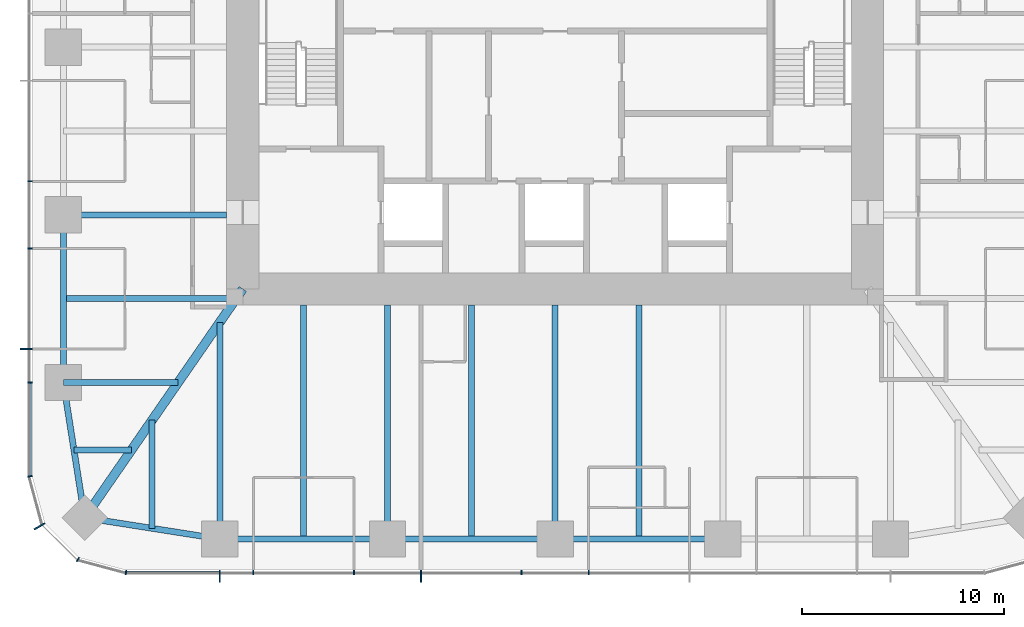
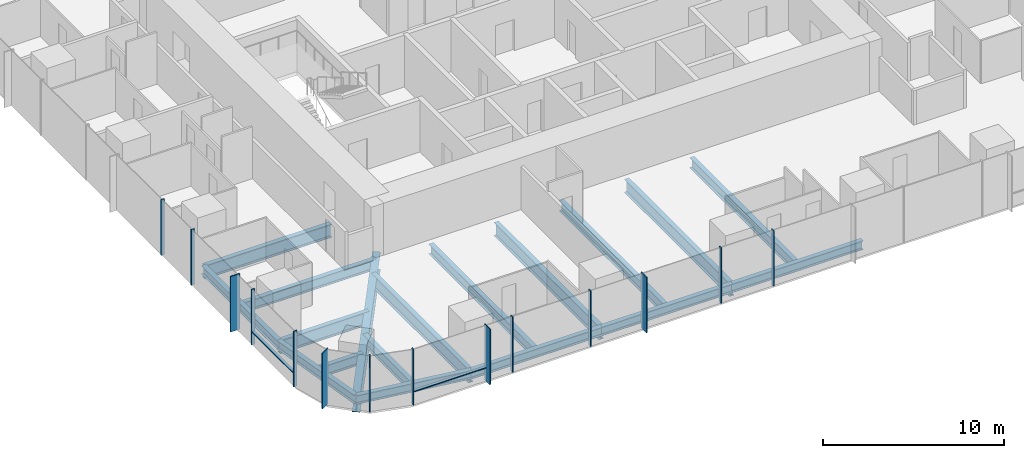
# One storey, part 2 of 12: 18 beams, 16 members, 3 elements without a shape of their own.
"""IFC4 building model written with IfcOpenShell, lengths in metres."""

import ifcopenshell
import ifcopenshell.guid

model = None  # the IFC model being written
_history = None  # IfcOwnerHistory: only IFC2X3 demands one
_inside = {}  # id of a spatial element -> (the spatial element, [elements in it])
_under = {}  # id of a project, library or spatial element -> (it, [spatial elements below it])
_declared = {}  # id of a project -> (the project, [libraries it declares])
_typed = {}  # id of a type object -> (the type object, [elements of that type])
_made_of = {}  # id of a material, layer set ... -> (it, [elements and type objects made of it])


def new_model(schema):
    """Start an empty IFC model of exactly this schema.

    Asked for "IFC4X3", IfcOpenShell would pick the latest addendum, in which some entities
    have other attributes; the version numbers below select the first issue.
    IFC2X3 requires an IfcOwnerHistory on every rooted entity: one is made here for all.
    """
    global model, _history
    if schema == "IFC4X3":
        model = ifcopenshell.file(schema_version=(4, 3, 0, 0))
    else:
        model = ifcopenshell.file(schema=schema)
    _inside.clear()
    _under.clear()
    _declared.clear()
    _typed.clear()
    _made_of.clear()
    _history = None
    if model.schema == "IFC2X3":
        org = make("IfcOrganization", Name="unknown")
        user = make(
            "IfcPersonAndOrganization",
            ThePerson=make("IfcPerson", FamilyName="unknown"),
            TheOrganization=org,
        )
        app = make(
            "IfcApplication",
            ApplicationDeveloper=org,
            Version="unknown",
            ApplicationFullName="unknown",
            ApplicationIdentifier="unknown",
        )
        _history = make(
            "IfcOwnerHistory",
            OwningUser=user,
            OwningApplication=app,
            ChangeAction="ADDED",
            CreationDate=0,
        )
    return model


def make(cls, **values):
    """One entity of the class cls with the attributes given. An attribute that is None is left unset."""
    return model.create_entity(
        cls, **{name: value for name, value in values.items() if value is not None}
    )


def rooted(cls, **values):
    """An entity with a GlobalId (a new one), such as an element, a storey or a relation."""
    return make(cls, GlobalId=ifcopenshell.guid.new(), OwnerHistory=_history, **values)


def si_unit(unit_type, name, prefix=None):
    """IfcSIUnit, for example si_unit("LENGTHUNIT", "METRE", prefix="MILLI")."""
    return make("IfcSIUnit", UnitType=unit_type, Prefix=prefix, Name=name)


def assignment(units):
    """IfcUnitAssignment: the units of a project."""
    return None if units is None else make("IfcUnitAssignment", Units=units)


def point(xyz):
    """IfcCartesianPoint."""
    return None if xyz is None else make("IfcCartesianPoint", Coordinates=xyz)


def direction(xyz):
    """IfcDirection."""
    return None if xyz is None else make("IfcDirection", DirectionRatios=xyz)


def frame(location, z_axis=None, x_axis=None):
    """IfcAxis2Placement3D, a coordinate frame: its origin and axes. An axis left out is left unset."""
    return make(
        "IfcAxis2Placement3D",
        Location=point(location),
        Axis=direction(z_axis),
        RefDirection=direction(x_axis),
    )


def frame_2d(location, x_axis=None):
    """IfcAxis2Placement2D, a coordinate frame in the plane: its origin and x axis."""
    return make(
        "IfcAxis2Placement2D", Location=point(location), RefDirection=direction(x_axis)
    )


def origin():
    """The frame at (0, 0, 0) with its axes left unset."""
    return frame((0.0, 0.0, 0.0))


def origin_2d():
    """The frame at (0, 0) in the plane with its x axis left unset."""
    return frame_2d((0.0, 0.0))


def place(relative_to, where):
    """IfcLocalPlacement: puts the frame where relative to a parent placement (None: the world)."""
    return make(
        "IfcLocalPlacement", PlacementRelTo=relative_to, RelativePlacement=where
    )


def context(
    kind, dimensions, precision=None, world=None, true_north=None, identifier=None
):
    """IfcGeometricRepresentationContext, for example the 3D "Model" context."""
    return make(
        "IfcGeometricRepresentationContext",
        ContextIdentifier=identifier,
        ContextType=kind,
        CoordinateSpaceDimension=dimensions,
        Precision=precision,
        WorldCoordinateSystem=world,
        TrueNorth=true_north,
    )


def subcontext(parent, identifier, kind, view, scale=None):
    """IfcGeometricRepresentationSubContext, for example "Body" below "Model"."""
    return make(
        "IfcGeometricRepresentationSubContext",
        ContextIdentifier=identifier,
        ContextType=kind,
        ParentContext=parent,
        TargetScale=scale,
        TargetView=view,
    )


def project(units=None, contexts=None):
    """IfcProject with its units and contexts."""
    return rooted(
        "IfcProject",
        Name="project",
        RepresentationContexts=contexts,
        UnitsInContext=assignment(units),
    )


def spatial(cls, under=None, at=None, **own):
    """A site, building, storey or space (cls), placed at a placement, below another one or the project."""
    s = rooted(cls, ObjectPlacement=at, **own)
    if under is not None:
        _under.setdefault(under.id(), (under, []))[1].append(s)
    return s


def profile(cls, at=None, kind="AREA", **sizes):
    """A parametric profile (cls). Its sizes go by their IFC names, for example OverallWidth=200.0."""
    return make(cls, ProfileType=kind, Position=at, **sizes)


def rectangle(**sizes):
    """IfcRectangleProfileDef."""
    return profile("IfcRectangleProfileDef", **sizes)


def i_section(**sizes):
    """IfcIShapeProfileDef."""
    return profile("IfcIShapeProfileDef", **sizes)


def extrude(swept, where, along, depth):
    """IfcExtrudedAreaSolid: the profile swept, set in the frame where, extruded along a direction by depth."""
    return make(
        "IfcExtrudedAreaSolid",
        SweptArea=swept,
        Position=where,
        ExtrudedDirection=direction(along),
        Depth=depth,
    )


def shape(context_of_items, identifier, shape_type, items):
    """IfcShapeRepresentation: the items that make up one representation, for example the "Body"."""
    return make(
        "IfcShapeRepresentation",
        ContextOfItems=context_of_items,
        RepresentationIdentifier=identifier,
        RepresentationType=shape_type,
        Items=items,
    )


def material(Name=None, Category=None):
    """IfcMaterial."""
    return make("IfcMaterial", Name=Name, Category=Category)


def material_profile(
    of_material, cross_section, Name=None, Category=None, Priority=None
):
    """IfcMaterialProfile: a cross section and its material."""
    return make(
        "IfcMaterialProfile",
        Name=Name,
        Material=of_material,
        Profile=cross_section,
        Priority=Priority,
        Category=Category,
    )


def profile_set(profiles, Name=None, composite=None):
    """IfcMaterialProfileSet."""
    return make(
        "IfcMaterialProfileSet",
        Name=Name,
        MaterialProfiles=profiles,
        CompositeProfile=composite,
    )


def made_of(thing, what):
    """Note that an element or type object is made of a material, layer set ...; save() writes the relation."""
    if what is not None:
        _made_of.setdefault(what.id(), (what, []))[1].append(thing)
    return thing


def type_object(cls, material=None, **own):
    """A type object (cls), such as IfcWallType, which elements share."""
    return made_of(rooted(cls, **own), material)


def element(
    cls,
    number,
    at=None,
    inside=None,
    cuts=None,
    type_object=None,
    material=None,
    context=None,
    identifier="Body",
    shape_type=None,
    held_by="IfcProductDefinitionShape",
    body=None,
    shapes=None,
    **own,
):
    """One element of the class cls, such as IfcWall. Its Tag is "e" and its number.

    at: its placement. inside: the storey or other place that contains it. cuts: it is an
    opening in that element (IfcRelVoidsElement). A single representation is given by context,
    identifier, shape_type and body (its items); several are given by shapes. held_by: the class
    of the entity that holds the representations. save() writes the other relations.
    """
    e = rooted(cls, Tag="e%d" % number, ObjectPlacement=at, **own)
    if body is not None:
        shapes = [shape(context, identifier, shape_type, body)]
    if shapes is not None:
        e.Representation = make(held_by, Representations=shapes)
    if inside is not None:
        _inside.setdefault(inside.id(), (inside, []))[1].append(e)
    if cuts is not None:
        rooted(
            "IfcRelVoidsElement", RelatingBuildingElement=cuts, RelatedOpeningElement=e
        )
    if type_object is not None:
        _typed.setdefault(type_object.id(), (type_object, []))[1].append(e)
    return made_of(e, material)


def aggregate(whole, parts):
    """IfcRelAggregates: a whole, such as a stair, and the parts it consists of."""
    return rooted("IfcRelAggregates", RelatingObject=whole, RelatedObjects=parts)


def save(model, path):
    """Write the relations noted so far, then the file.

    IfcRelAggregates (storeys below a building ...), IfcRelContainedInSpatialStructure (elements
    in a storey), IfcRelDefinesByType, IfcRelAssociatesMaterial and IfcRelDeclares: one each for
    every whole, place, type object, material and project.
    """
    for whole, parts in _under.values():
        aggregate(whole, parts)
    for where, things in _inside.values():
        rooted(
            "IfcRelContainedInSpatialStructure",
            RelatedElements=things,
            RelatingStructure=where,
        )
    for kind, things in _typed.values():
        rooted("IfcRelDefinesByType", RelatedObjects=things, RelatingType=kind)
    for what, things in _made_of.values():
        rooted("IfcRelAssociatesMaterial", RelatedObjects=things, RelatingMaterial=what)
    for by, libraries in _declared.values():
        rooted("IfcRelDeclares", RelatingContext=by, RelatedDefinitions=libraries)
    model.write(path)


model = new_model("IFC4")

# Units and contexts
model_context = context("Model", 3, precision=1e-05, world=origin(), true_north=direction((0.0, 1.0)))
body_context = subcontext(model_context, "Body", "Model", "MODEL_VIEW")
ifc_project = project(units=[si_unit("LENGTHUNIT", "METRE"), si_unit("AREAUNIT", "SQUARE_METRE"), si_unit("VOLUMEUNIT", "CUBIC_METRE"), si_unit("PLANEANGLEUNIT", "RADIAN"), si_unit("MASSUNIT", "GRAM", prefix="KILO")], contexts=[model_context])

# Site, building, storey
site_placement = place(None, origin())
site = spatial("IfcSite", under=ifc_project, at=site_placement, CompositionType="ELEMENT")
building_placement = place(site_placement, origin())
building = spatial("IfcBuilding", under=site, at=building_placement, Name="Khuree Lantern Residences", CompositionType="ELEMENT")
storey_placement = place(building_placement, frame((0.0, 0.0, 237.0)))
storey = spatial("IfcBuildingStorey", under=building, at=storey_placement, Name="L59", CompositionType="ELEMENT", Elevation=237.0)

# Beams
ifc_material_1 = material(Name="Steel S355", Category="steel")
ifc_material_profile_1 = material_profile(ifc_material_1, i_section(OverallWidth=0.300048828125, OverallDepth=0.68994140625, WebThickness=0.014404296875, FlangeThickness=0.027099609375, FilletRadius=0.027099609375, at=origin_2d()), Name="HE 700 A")
ifc_profile_set_1 = profile_set([ifc_material_profile_1], Name="Steel S355")
beam_type_1 = type_object("IfcBeamType", Name="B-33 SECONDARY BEAM HE 700 A", PredefinedType="BEAM", material=ifc_profile_set_1)
for number, where, z_axis, x_axis, name in (
    (1, (4.159912109375, -24.39990234375, -0.594970703125), (0.0, 1.0, 0.0), (-1.0, 0.0, 0.0), "Secondary beam S3"),
    (2, (-4.159912109375, -24.39990234375, -0.594970703125), (0.0, 1.0, 0.0), (-1.0, 0.0, 0.0), "Secondary beam S4"),
    (3, (-12.47998046875, -24.39990234375, -0.594970703125), (0.0, 1.0, 0.0), (-1.0, 0.0, 0.0), "Secondary beam S5"),
):
    element("IfcBeam", number, at=place(storey_placement, frame(where, z_axis=z_axis, x_axis=x_axis)), inside=storey, type_object=beam_type_1, Name=name, PredefinedType="BEAM", context=body_context, shape_type="SweptSolid", body=[
        extrude(i_section(OverallWidth=0.300048828125, OverallDepth=0.68994140625, WebThickness=0.014404296875, FlangeThickness=0.027099609375, FilletRadius=0.027099609375, at=origin_2d()), origin(), (0.0, 0.0, 1.0), 11.599853515625),
    ])
beam_1_placement = place(storey_placement, frame((-19.992919921875, -23.872802734375, -0.594970703125), z_axis=(0.0, 1.0, 0.0), x_axis=(-1.0, 0.0, 0.0)))
element("IfcBeam", 4, at=beam_1_placement, inside=storey, type_object=beam_type_1, Name="Secondary beam S6", PredefinedType="BEAM", context=body_context, shape_type="SweptSolid", body=[
    extrude(i_section(OverallWidth=0.300048828125, OverallDepth=0.68994140625, WebThickness=0.014404296875, FlangeThickness=0.027099609375, FilletRadius=0.027099609375, at=origin_2d()), origin(), (0.0, 0.0, 1.0), 5.375732421875),
])
beam_2_placement = place(storey_placement, frame((-23.872802734375, -19.992919921875, -0.594970703125), z_axis=(1.0, 0.0, 0.0), x_axis=(0.0, 1.0, 0.0)))
element("IfcBeam", 5, at=beam_2_placement, inside=storey, type_object=beam_type_1, Name="Secondary beam W1", PredefinedType="BEAM", context=body_context, shape_type="SweptSolid", body=[
    extrude(i_section(OverallWidth=0.300048828125, OverallDepth=0.68994140625, WebThickness=0.014404296875, FlangeThickness=0.027099609375, FilletRadius=0.027099609375, at=origin_2d()), origin(), (0.0, 0.0, 1.0), 2.845703125),
])
beam_3_placement = place(storey_placement, frame((-24.39990234375, -12.47998046875, -0.594970703125), z_axis=(1.0, 0.0, 0.0), x_axis=(0.0, 1.0, 0.0)))
element("IfcBeam", 6, at=beam_3_placement, inside=storey, type_object=beam_type_1, Name="Secondary beam W2", PredefinedType="BEAM", context=body_context, shape_type="SweptSolid", body=[
    extrude(i_section(OverallWidth=0.300048828125, OverallDepth=0.68994140625, WebThickness=0.014404296875, FlangeThickness=0.027099609375, FilletRadius=0.027099609375, at=origin_2d()), origin(), (0.0, 0.0, 1.0), 8.56787109375),
])
ifc_material_profile_2 = material_profile(ifc_material_1, i_section(OverallWidth=0.300048828125, OverallDepth=0.590087890625, WebThickness=0.012939453125, FlangeThickness=0.02490234375, FilletRadius=0.027099609375, at=origin_2d()), Name="HE 600 A")
ifc_profile_set_2 = profile_set([ifc_material_profile_2], Name="Steel S355")
beam_type_2 = type_object("IfcBeamType", Name="E-33 SPANDREL BEAM HE 600 A", PredefinedType="SPANDREL", material=ifc_profile_set_2)
for number, where, z_axis, x_axis, name in (
    (7, (8.320068359375, -24.39990234375, -0.544921875), (-1.0, 0.0, 0.0), (0.0, -1.0, 0.0), "Spandrel beam S3"),
    (8, (0.0, -24.39990234375, -0.544921875), (-1.0, 0.0, 0.0), (0.0, -1.0, 0.0), "Spandrel beam S4"),
):
    element("IfcBeam", number, at=place(storey_placement, frame(where, z_axis=z_axis, x_axis=x_axis)), inside=storey, type_object=beam_type_2, Name=name, PredefinedType="SPANDREL", context=body_context, shape_type="SweptSolid", body=[
        extrude(i_section(OverallWidth=0.300048828125, OverallDepth=0.590087890625, WebThickness=0.012939453125, FlangeThickness=0.02490234375, FilletRadius=0.027099609375, at=origin_2d()), origin(), (0.0, 0.0, 1.0), 8.320068359375),
    ])
beam_4_placement = place(storey_placement, frame((-8.320068359375, -24.39990234375, -0.544921875), z_axis=(-1.0, 0.0, 0.0), x_axis=(0.0, -1.0, 0.0)))
element("IfcBeam", 9, at=beam_4_placement, inside=storey, type_object=beam_type_2, Name="Spandrel beam S5", PredefinedType="SPANDREL", context=body_context, shape_type="SweptSolid", body=[
    extrude(i_section(OverallWidth=0.300048828125, OverallDepth=0.590087890625, WebThickness=0.012939453125, FlangeThickness=0.02490234375, FilletRadius=0.027099609375, at=origin_2d()), origin(), (0.0, 0.0, 1.0), 8.31982421875),
])
for number, where, z_axis, x_axis, name in (
    (10, (-16.639892578125, -24.39990234375, -0.544921875), (-0.98786743189, 0.155299507442, 0.0), (-0.155299507442, -0.98786743189, 0.0), "Spandrel beam S6"),
    (11, (-23.345703125, -23.345703125, -0.544921875), (-0.155299507442, 0.98786743189, 0.0), (-0.98786743189, -0.155299507442, 0.0), "Spandrel beam W1"),
):
    element("IfcBeam", number, at=place(storey_placement, frame(where, z_axis=z_axis, x_axis=x_axis)), inside=storey, type_object=beam_type_2, Name=name, PredefinedType="SPANDREL", context=body_context, shape_type="SweptSolid", body=[
        extrude(i_section(OverallWidth=0.300048828125, OverallDepth=0.590087890625, WebThickness=0.012939453125, FlangeThickness=0.02490234375, FilletRadius=0.027099609375, at=origin_2d()), origin(), (0.0, 0.0, 1.0), 6.7880859375),
    ])
beam_5_placement = place(storey_placement, frame((-24.39990234375, -16.639892578125, -0.544921875), z_axis=(0.0, 1.0, 0.0), x_axis=(-1.0, 0.0, 0.0)))
element("IfcBeam", 12, at=beam_5_placement, inside=storey, type_object=beam_type_2, Name="Spandrel beam W2", PredefinedType="SPANDREL", context=body_context, shape_type="SweptSolid", body=[
    extrude(i_section(OverallWidth=0.300048828125, OverallDepth=0.590087890625, WebThickness=0.012939453125, FlangeThickness=0.02490234375, FilletRadius=0.027099609375, at=origin_2d()), origin(), (0.0, 0.0, 1.0), 8.31982421875),
])

# Curtain wall, member
ifc_material_2 = material(Name="Bronze anodised aluminium", Category="aluminium")
curtain_wall_type_1 = type_object("IfcCurtainWallType", Name="CW-T1 TOWER FACE CURTAIN WALL", PredefinedType="USERDEFINED", material=ifc_material_2)
curtain_wall_1_placement = place(storey_placement, origin())
curtain_wall_1 = element("IfcCurtainWall", 13, at=curtain_wall_1_placement, inside=storey, type_object=curtain_wall_type_1, Name="L59 WEST FACE CURTAIN WALL", ObjectType="Stick-built curtain wall", PredefinedType="USERDEFINED")
ifc_material_profile_3 = material_profile(ifc_material_2, rectangle(XDim=0.06494140625, YDim=0.60009765625, at=origin_2d()), Name="F1 65X600")
ifc_profile_set_3 = profile_set([ifc_material_profile_3], Name="Bronze anodised aluminium")
member_type_1 = type_object("IfcMemberType", Name="F1 BRONZE FIN MULLION TOWER 65X600", PredefinedType="MULLION", material=ifc_profile_set_3)
member_1_placement = place(storey_placement, frame((-26.25, -14.97607421875, 0.0), z_axis=(0.0, 0.0, 1.0), x_axis=(0.0, -1.0, 0.0)))
member_1 = element("IfcMember", 14, at=member_1_placement, type_object=member_type_1, Name="L59 WEST FACE FIN MULLION 41", PredefinedType="MULLION", context=body_context, shape_type="SweptSolid", body=[
    extrude(rectangle(XDim=0.06494140625, YDim=0.60009765625, at=origin_2d()), origin(), (0.0, 0.0, 1.0), 3.75),
])

curtain_wall_type_2 = type_object("IfcCurtainWallType", Name="CW-T2 TOWER CORNER CURTAIN WALL", PredefinedType="USERDEFINED", material=ifc_material_2)
curtain_wall_2_placement = place(storey_placement, origin())
curtain_wall_2 = element("IfcCurtainWall", 15, at=curtain_wall_2_placement, inside=storey, type_object=curtain_wall_type_2, Name="L59 SOUTH-WEST CORNER CURTAIN WALL", ObjectType="Faceted corner curtain wall", PredefinedType="USERDEFINED")
member_2_placement = place(storey_placement, frame((-25.5869140625, -23.77490234375, 0.0), z_axis=(0.0, 0.0, 1.0), x_axis=(0.499999989586, -0.866025409797, 0.0)))
member_2 = element("IfcMember", 16, at=member_2_placement, type_object=member_type_1, Name="L59 SOUTH-WEST CORNER FIN MULLION 44", PredefinedType="MULLION", context=body_context, shape_type="SweptSolid", body=[
    extrude(rectangle(XDim=0.06494140625, YDim=0.60009765625, at=origin_2d()), origin(), (0.0, 0.0, 1.0), 3.75),
])

# Curtain wall, members
curtain_wall_3_placement = place(storey_placement, origin())
curtain_wall_3 = element("IfcCurtainWall", 17, at=curtain_wall_3_placement, inside=storey, type_object=curtain_wall_type_1, Name="L59 SOUTH FACE CURTAIN WALL", ObjectType="Stick-built curtain wall", PredefinedType="USERDEFINED")
member_3_placement = place(storey_placement, frame((-16.639892578125, -26.25, 0.0), z_axis=(0.0, 0.0, 1.0), x_axis=(1.0, 0.0, 0.0)))
member_3 = element("IfcMember", 18, at=member_3_placement, type_object=member_type_1, Name="L59 SOUTH FACE FIN MULLION 47", PredefinedType="MULLION", context=body_context, shape_type="SweptSolid", body=[
    extrude(rectangle(XDim=0.06494140625, YDim=0.60009765625, at=origin_2d()), origin(), (0.0, 0.0, 1.0), 3.75),
])
member_4_placement = place(storey_placement, frame((-6.656005859375, -26.25, 0.0), z_axis=(0.0, 0.0, 1.0), x_axis=(1.0, 0.0, 0.0)))
member_4 = element("IfcMember", 19, at=member_4_placement, type_object=member_type_1, Name="L59 SOUTH FACE FIN MULLION 50", PredefinedType="MULLION", context=body_context, shape_type="SweptSolid", body=[
    extrude(rectangle(XDim=0.06494140625, YDim=0.60009765625, at=origin_2d()), origin(), (0.0, 0.0, 1.0), 3.75),
])

# Beams
ifc_material_profile_4 = material_profile(ifc_material_1, i_section(OverallWidth=0.300048828125, OverallDepth=0.89990234375, WebThickness=0.0185546875, FlangeThickness=0.034912109375, FilletRadius=0.030029296875, at=origin_2d()), Name="HE 900 B")
ifc_profile_set_4 = profile_set([ifc_material_profile_4], Name="Steel S355")
beam_type_3 = type_object("IfcBeamType", Name="G-33 GIRDER HE 900 B", PredefinedType="BEAM", material=ifc_profile_set_4)
for number, where, z_axis, x_axis, name in (
    (20, (0.0, -24.39990234375, -0.699951171875), (0.0, 1.0, 0.0), (-1.0, 0.0, 0.0), "Girder S3"),
    (21, (-8.320068359375, -24.39990234375, -0.699951171875), (0.0, 1.0, 0.0), (-1.0, 0.0, 0.0), "Girder S4"),
):
    element("IfcBeam", number, at=place(storey_placement, frame(where, z_axis=z_axis, x_axis=x_axis)), inside=storey, type_object=beam_type_3, Name=name, PredefinedType="BEAM", context=body_context, shape_type="SweptSolid", body=[
        extrude(i_section(OverallWidth=0.300048828125, OverallDepth=0.89990234375, WebThickness=0.0185546875, FlangeThickness=0.034912109375, FilletRadius=0.030029296875, at=origin_2d()), origin(), (0.0, 0.0, 1.0), 11.599853515625),
    ])
beam_6_placement = place(storey_placement, frame((-16.639892578125, -24.39990234375, -0.699951171875), z_axis=(0.0, 1.0, 0.0), x_axis=(-1.0, 0.0, 0.0)))
element("IfcBeam", 22, at=beam_6_placement, inside=storey, type_object=beam_type_3, Name="Girder S5", PredefinedType="BEAM", context=body_context, shape_type="SweptSolid", body=[
    extrude(i_section(OverallWidth=0.300048828125, OverallDepth=0.89990234375, WebThickness=0.0185546875, FlangeThickness=0.034912109375, FilletRadius=0.030029296875, at=origin_2d()), origin(), (0.0, 0.0, 1.0), 10.751220703125),
])
beam_7_placement = place(storey_placement, frame((-24.39990234375, -16.639892578125, -0.699951171875), z_axis=(1.0, 0.0, 0.0), x_axis=(0.0, 1.0, 0.0)))
element("IfcBeam", 23, at=beam_7_placement, inside=storey, type_object=beam_type_3, Name="Girder W1", PredefinedType="BEAM", context=body_context, shape_type="SweptSolid", body=[
    extrude(i_section(OverallWidth=0.300048828125, OverallDepth=0.89990234375, WebThickness=0.0185546875, FlangeThickness=0.034912109375, FilletRadius=0.030029296875, at=origin_2d()), origin(), (0.0, 0.0, 1.0), 5.69140625),
])
beam_8_placement = place(storey_placement, frame((-24.39990234375, -8.320068359375, -0.699951171875), z_axis=(1.0, 0.0, 0.0), x_axis=(0.0, 1.0, 0.0)))
element("IfcBeam", 24, at=beam_8_placement, inside=storey, type_object=beam_type_3, Name="Girder W2", PredefinedType="BEAM", context=body_context, shape_type="SweptSolid", body=[
    extrude(i_section(OverallWidth=0.300048828125, OverallDepth=0.89990234375, WebThickness=0.0185546875, FlangeThickness=0.034912109375, FilletRadius=0.030029296875, at=origin_2d()), origin(), (0.0, 0.0, 1.0), 8.099853515625),
])
ifc_material_profile_5 = material_profile(ifc_material_1, i_section(OverallWidth=0.449951171875, OverallDepth=1.199951171875, WebThickness=0.02490234375, FlangeThickness=0.044921875, at=origin_2d()), Name="WELDED I 1200X450X25X45")
ifc_profile_set_5 = profile_set([ifc_material_profile_5], Name="Steel S355")
beam_type_4 = type_object("IfcBeamType", Name="GD-33 CORNER GIRDER WELDED I 1200X450X25X45", PredefinedType="BEAM", material=ifc_profile_set_5)
beam_9_placement = place(storey_placement, frame((-23.345703125, -23.345703125, -0.85009765625), z_axis=(0.56876813501, 0.822497907959, 0.0), x_axis=(-0.822497907959, 0.56876813501, 0.0)))
element("IfcBeam", 25, at=beam_9_placement, inside=storey, type_object=beam_type_4, Name="Corner girder SW", PredefinedType="BEAM", context=body_context, shape_type="SweptSolid", body=[
    extrude(i_section(OverallWidth=0.449951171875, OverallDepth=1.199951171875, WebThickness=0.02490234375, FlangeThickness=0.044921875, at=origin_2d()), origin(), (0.0, 0.0, 1.0), 13.794189453125),
])

# Member
ifc_material_profile_6 = material_profile(ifc_material_2, rectangle(XDim=0.06494140625, YDim=0.219970703125, at=origin_2d()), Name="M1 65X220")
ifc_profile_set_6 = profile_set([ifc_material_profile_6], Name="Bronze anodised aluminium")
member_type_2 = type_object("IfcMemberType", Name="M1 BRONZE MULLION TOWER 65X220", PredefinedType="MULLION", material=ifc_profile_set_6)
member_5_placement = place(storey_placement, frame((-26.06005859375, -6.656005859375, 0.0), z_axis=(0.0, 0.0, 1.0), x_axis=(0.0, -1.0, 0.0)))
member_5 = element("IfcMember", 26, at=member_5_placement, type_object=member_type_2, Name="L59 WEST FACE MULLION 39", PredefinedType="MULLION", context=body_context, shape_type="SweptSolid", body=[
    extrude(rectangle(XDim=0.06494140625, YDim=0.219970703125, at=origin_2d()), origin(), (0.0, 0.0, 1.0), 3.75),
])

member_6_placement = place(storey_placement, frame((-26.06005859375, -9.98388671875, 0.0), z_axis=(0.0, 0.0, 1.0), x_axis=(0.0, -1.0, 0.0)))
member_6 = element("IfcMember", 27, at=member_6_placement, type_object=member_type_2, Name="L59 WEST FACE MULLION 40", PredefinedType="MULLION", context=body_context, shape_type="SweptSolid", body=[
    extrude(rectangle(XDim=0.06494140625, YDim=0.219970703125, at=origin_2d()), origin(), (0.0, 0.0, 1.0), 3.75),
])

member_7_placement = place(storey_placement, frame((-26.06005859375, -16.639892578125, 0.0), z_axis=(0.0, 0.0, 1.0), x_axis=(0.0, -1.0, 0.0)))
member_7 = element("IfcMember", 28, at=member_7_placement, type_object=member_type_2, Name="L59 WEST FACE MULLION 42", PredefinedType="MULLION", context=body_context, shape_type="SweptSolid", body=[
    extrude(rectangle(XDim=0.06494140625, YDim=0.219970703125, at=origin_2d()), origin(), (0.0, 0.0, 1.0), 3.75),
])

member_8_placement = place(storey_placement, frame((-26.061767578125, -21.294921875, 0.0), z_axis=(0.0, 0.0, 1.0), x_axis=(0.130526180298, -0.991444862943, 0.0)))
member_8 = element("IfcMember", 29, at=member_8_placement, type_object=member_type_2, Name="L59 SOUTH-WEST CORNER MULLION 43", PredefinedType="MULLION", context=body_context, shape_type="SweptSolid", body=[
    extrude(rectangle(XDim=0.06494140625, YDim=0.219970703125, at=origin_2d()), origin(), (0.0, 0.0, 1.0), 3.75),
])

member_9_placement = place(storey_placement, frame((-23.679931640625, -25.42236328125, 0.0), z_axis=(0.0, 0.0, 1.0), x_axis=(0.866025409797, -0.499999989586, 0.0)))
member_9 = element("IfcMember", 30, at=member_9_placement, type_object=member_type_2, Name="L59 SOUTH-WEST CORNER MULLION 45", PredefinedType="MULLION", context=body_context, shape_type="SweptSolid", body=[
    extrude(rectangle(XDim=0.06494140625, YDim=0.219970703125, at=origin_2d()), origin(), (0.0, 0.0, 1.0), 3.75),
])

aggregate(curtain_wall_2, [member_8, member_2, member_9])

member_10_placement = place(storey_placement, frame((-21.294921875, -26.061767578125, 0.0), z_axis=(0.0, 0.0, 1.0), x_axis=(0.991444862943, -0.130526180298, 0.0)))
member_10 = element("IfcMember", 31, at=member_10_placement, type_object=member_type_2, Name="L59 SOUTH FACE MULLION 46", PredefinedType="MULLION", context=body_context, shape_type="SweptSolid", body=[
    extrude(rectangle(XDim=0.06494140625, YDim=0.219970703125, at=origin_2d()), origin(), (0.0, 0.0, 1.0), 3.75),
])

member_11_placement = place(storey_placement, frame((-14.97607421875, -26.06005859375, 0.0), z_axis=(0.0, 0.0, 1.0), x_axis=(1.0, 0.0, 0.0)))
member_11 = element("IfcMember", 32, at=member_11_placement, type_object=member_type_2, Name="L59 SOUTH FACE MULLION 48", PredefinedType="MULLION", context=body_context, shape_type="SweptSolid", body=[
    extrude(rectangle(XDim=0.06494140625, YDim=0.219970703125, at=origin_2d()), origin(), (0.0, 0.0, 1.0), 3.75),
])

member_12_placement = place(storey_placement, frame((-9.98388671875, -26.06005859375, 0.0), z_axis=(0.0, 0.0, 1.0), x_axis=(1.0, 0.0, 0.0)))
member_12 = element("IfcMember", 33, at=member_12_placement, type_object=member_type_2, Name="L59 SOUTH FACE MULLION 49", PredefinedType="MULLION", context=body_context, shape_type="SweptSolid", body=[
    extrude(rectangle(XDim=0.06494140625, YDim=0.219970703125, at=origin_2d()), origin(), (0.0, 0.0, 1.0), 3.75),
])

member_13_placement = place(storey_placement, frame((-1.6640625, -26.06005859375, 0.0), z_axis=(0.0, 0.0, 1.0), x_axis=(1.0, 0.0, 0.0)))
member_13 = element("IfcMember", 34, at=member_13_placement, type_object=member_type_2, Name="L59 SOUTH FACE MULLION 51", PredefinedType="MULLION", context=body_context, shape_type="SweptSolid", body=[
    extrude(rectangle(XDim=0.06494140625, YDim=0.219970703125, at=origin_2d()), origin(), (0.0, 0.0, 1.0), 3.75),
])

member_14_placement = place(storey_placement, frame((1.6640625, -26.06005859375, 0.0), z_axis=(0.0, 0.0, 1.0), x_axis=(1.0, 0.0, 0.0)))
member_14 = element("IfcMember", 35, at=member_14_placement, type_object=member_type_2, Name="L59 SOUTH FACE MULLION 52", PredefinedType="MULLION", context=body_context, shape_type="SweptSolid", body=[
    extrude(rectangle(XDim=0.06494140625, YDim=0.219970703125, at=origin_2d()), origin(), (0.0, 0.0, 1.0), 3.75),
])

ifc_material_profile_7 = material_profile(ifc_material_2, rectangle(XDim=0.179931640625, YDim=0.06494140625, at=origin_2d()), Name="T1 180X65")
ifc_profile_set_7 = profile_set([ifc_material_profile_7], Name="Bronze anodised aluminium")
member_type_3 = type_object("IfcMemberType", Name="TRANSOM T1 TOWER 180X65", PredefinedType="USERDEFINED", material=ifc_profile_set_7)
member_15_placement = place(storey_placement, frame((-26.070068359375, -16.672607421875, 0.89990234375), z_axis=(0.0, -1.0, 0.0), x_axis=(1.0, 0.0, 0.0)))
member_15 = element("IfcMember", 36, at=member_15_placement, type_object=member_type_3, Name="L59 WEST FACE TRANSOM 42.1", ObjectType="Transom", PredefinedType="USERDEFINED", context=body_context, shape_type="SweptSolid", body=[
    extrude(rectangle(XDim=0.179931640625, YDim=0.06494140625, at=origin_2d()), origin(), (0.0, 0.0, 1.0), 4.578857421875),
])

aggregate(curtain_wall_1, [member_5, member_6, member_1, member_7, member_15])

member_16_placement = place(storey_placement, frame((-21.25146484375, -26.070068359375, 0.89990234375), z_axis=(1.0, 0.0, 0.0), x_axis=(0.0, 1.0, 0.0)))
member_16 = element("IfcMember", 37, at=member_16_placement, type_object=member_type_3, Name="L59 SOUTH FACE TRANSOM 46.1", ObjectType="Transom", PredefinedType="USERDEFINED", context=body_context, shape_type="SweptSolid", body=[
    extrude(rectangle(XDim=0.179931640625, YDim=0.06494140625, at=origin_2d()), origin(), (0.0, 0.0, 1.0), 4.578857421875),
])

aggregate(curtain_wall_3, [member_10, member_3, member_11, member_12, member_4, member_13, member_14, member_16])

save(model, "model.ifc")
